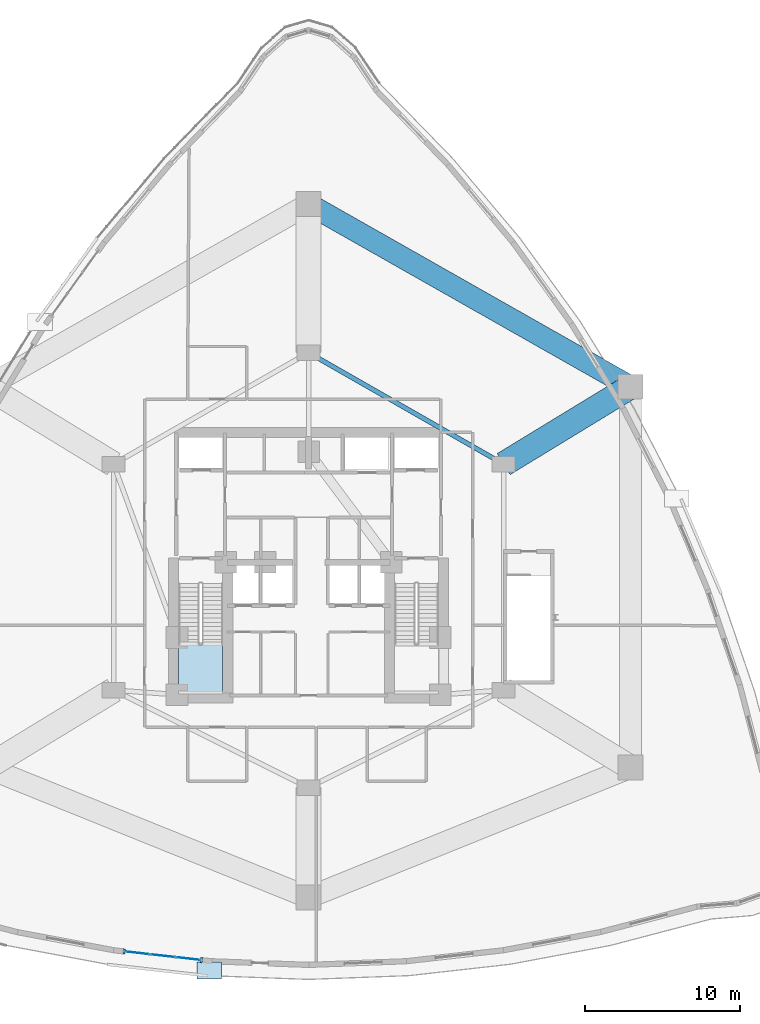
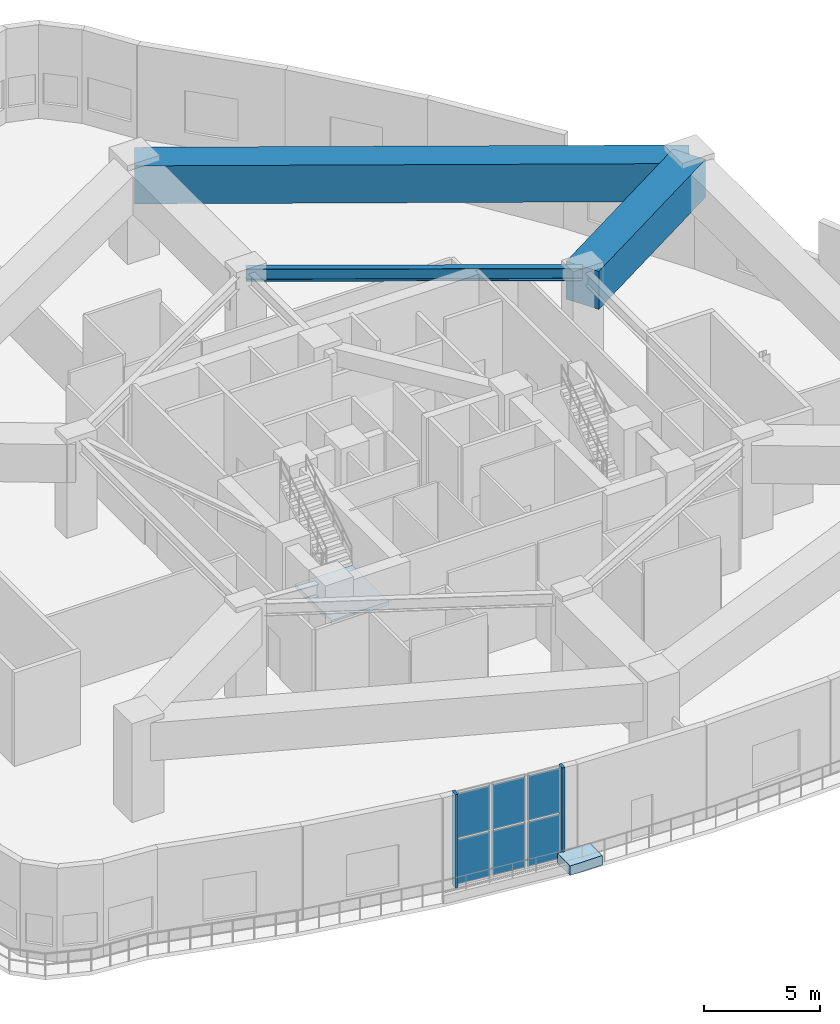
# One storey, part 9 of 19: 8 plates, 3 beams, 2 slabs, 2 elements without a shape of their own.
"""IFC4 building model written with IfcOpenShell, lengths in metres."""

from ifc_helpers import new_model, si_unit, direction, frame, origin, origin_2d, place, context, subcontext, project, spatial, polyline, rectangle, i_section, outline, extrude, material, layer, layer_set, material_profile, profile_set, type_object, element, aggregate, save


model = new_model("IFC4")

# Units and contexts
model_context = context("Model", 3, precision=1e-05, world=origin(), true_north=direction((0.0, 1.0)))
body_context = subcontext(model_context, "Body", "Model", "MODEL_VIEW")
ifc_project = project(units=[si_unit("LENGTHUNIT", "METRE"), si_unit("AREAUNIT", "SQUARE_METRE"), si_unit("VOLUMEUNIT", "CUBIC_METRE"), si_unit("PLANEANGLEUNIT", "RADIAN"), si_unit("MASSUNIT", "GRAM", prefix="KILO")], contexts=[model_context])

# Site, building, storey
site_placement = place(None, origin())
site = spatial("IfcSite", under=ifc_project, at=site_placement, CompositionType="ELEMENT")
building_placement = place(site_placement, origin())
building = spatial("IfcBuilding", under=site, at=building_placement, Name="Miruveldt Soraemaru", CompositionType="ELEMENT")
storey_placement = place(building_placement, frame((0.0, 0.0, 24.0)))
storey = spatial("IfcBuildingStorey", under=building, at=storey_placement, Name="L06", CompositionType="ELEMENT", Elevation=24.0)

# Beams
ifc_material_1 = material(Name="Steel SM355 (355 MPa)", Category="steel")
ifc_material_profile_1 = material_profile(ifc_material_1, i_section(OverallWidth=0.300048828125, OverallDepth=0.64990234375, WebThickness=0.012939453125, FlangeThickness=0.02197265625, FilletRadius=0.02587890625, at=origin_2d()), Name="Steel SM355 (355 MPa)", Category="steel")
ifc_profile_set_1 = profile_set([ifc_material_profile_1], Name="Steel SM355 (355 MPa)")
beam_type_1 = type_object("IfcBeamType", Name="BM-ST-H650", PredefinedType="BEAM", material=ifc_profile_set_1)
beam_1_placement = place(storey_placement, frame((44.0, 57.60009765625, 4.60009765625), z_axis=(0.868239001029, -0.496146185203, 0.0), x_axis=(0.496146185203, 0.868239001029, 0.0)))
element("IfcBeam", 1, at=beam_1_placement, inside=storey, type_object=beam_type_1, Name="L06 Inner Ring Girder 1", PredefinedType="BEAM", context=body_context, shape_type="SweptSolid", body=[
    extrude(i_section(OverallWidth=0.300048828125, OverallDepth=0.64990234375, WebThickness=0.012939453125, FlangeThickness=0.02197265625, FilletRadius=0.02587890625, at=origin_2d()), origin(), (0.0, 0.0, 1.0), 14.51220703125),
])
ifc_material_2 = material(Name="Concrete C70/85 (70 MPa)", Category="concrete")
ifc_material_profile_2 = material_profile(ifc_material_2, rectangle(XDim=1.39990234375, YDim=2.0, at=origin_2d()), Name="Concrete C70/85 (70 MPa)", Category="concrete")
ifc_profile_set_2 = profile_set([ifc_material_profile_2], Name="Concrete C70/85 (70 MPa)")
beam_type_2 = type_object("IfcBeamType", Name="BM-TG-1400x2000", PredefinedType="USERDEFINED", material=ifc_profile_set_2)
beam_2_placement = place(storey_placement, frame((44.0, 67.199951171875, 3.925048828125), z_axis=(0.869782551993, -0.493435215858, 0.0), x_axis=(0.493435215858, 0.869782551993, 0.0)))
element("IfcBeam", 2, at=beam_2_placement, inside=storey, type_object=beam_type_2, Name="L06 Podium Transfer Ring 1", ObjectType="TRANSFER GIRDER", PredefinedType="USERDEFINED", context=body_context, shape_type="SweptSolid", body=[
    extrude(rectangle(XDim=1.39990234375, YDim=2.0, at=origin_2d()), origin(), (0.0, 0.0, 1.0), 23.9140625),
])
ifc_material_profile_3 = material_profile(ifc_material_2, rectangle(XDim=1.60009765625, YDim=2.0, at=origin_2d()), Name="Concrete C70/85 (70 MPa)", Category="concrete")
ifc_profile_set_3 = profile_set([ifc_material_profile_3], Name="Concrete C70/85 (70 MPa)")
beam_type_3 = type_object("IfcBeamType", Name="BM-TG-1600x2000", PredefinedType="USERDEFINED", material=ifc_profile_set_3)
beam_3_placement = place(storey_placement, frame((56.60009765625, 50.39990234375, 3.925048828125), z_axis=(0.853794797843, 0.520609684098, 0.0), x_axis=(-0.520609684098, 0.853794797843, 0.0)))
element("IfcBeam", 3, at=beam_3_placement, inside=storey, type_object=beam_type_3, Name="L06 Continuous Radial Transfer Girder 2", ObjectType="TRANSFER GIRDER", PredefinedType="USERDEFINED", context=body_context, shape_type="SweptSolid", body=[
    extrude(rectangle(XDim=1.60009765625, YDim=2.0, at=origin_2d()), origin(), (0.0, 0.0, 1.0), 9.60400390625),
])

# Curtain wall, plates
ifc_material_3 = material(Name="Anodised aluminium EN AW-6063 T6", Category="aluminium")
ifc_layer_1 = layer(ifc_material_3, 0.219970703125, Name="Anodised aluminium EN AW-6063 T6", Category="aluminium")
ifc_layer_set_1 = layer_set([ifc_layer_1], Name="Anodised aluminium EN AW-6063 T6")
curtain_wall_type = type_object("IfcCurtainWallType", Name="CW-SYS-2", PredefinedType="USERDEFINED", material=ifc_layer_set_1)
curtain_wall_placement = place(storey_placement, origin())
curtain_wall = element("IfcCurtainWall", 4, at=curtain_wall_placement, inside=storey, type_object=curtain_wall_type, Name="L06 Curtain Wall Bay 23", ObjectType="STOREFRONT", PredefinedType="USERDEFINED")
ifc_material_4 = material(Name="Triple low-e insulated glazing", Category="glass")
ifc_layer_2 = layer(ifc_material_4, 0.031982421875, Name="Triple low-e insulated glazing", Category="glass")
ifc_layer_set_2 = layer_set([ifc_layer_2], Name="Triple low-e insulated glazing")
plate_type_1 = type_object("IfcPlateType", Name="CWP-2", PredefinedType="CURTAIN_PANEL", material=ifc_layer_set_2)
plate_1_placement = place(storey_placement, frame((32.93505859375, 18.8173828125, 0.074951171875), z_axis=(0.0, 0.0, 1.0), x_axis=(0.993733916167, -0.111771659465, 0.0)))
plate_1 = element("IfcPlate", 5, at=plate_1_placement, type_object=plate_type_1, Name="CW-2 panel 1.1", PredefinedType="CURTAIN_PANEL", context=body_context, shape_type="SweptSolid", body=[
    extrude(rectangle(XDim=1.560791015625, YDim=0.031982421875, at=origin_2d()), origin(), (0.0, 0.0, 1.0), 2.35009765625),
])
plate_2_placement = place(storey_placement, frame((32.93505859375, 18.8173828125, 2.5), z_axis=(0.0, 0.0, 1.0), x_axis=(0.993733916167, -0.111771659465, 0.0)))
plate_2 = element("IfcPlate", 6, at=plate_2_placement, type_object=plate_type_1, Name="CW-2 panel 1.2", PredefinedType="CURTAIN_PANEL", context=body_context, shape_type="SweptSolid", body=[
    extrude(rectangle(XDim=1.560791015625, YDim=0.031982421875, at=origin_2d()), origin(), (0.0, 0.0, 1.0), 2.35009765625),
])
plate_3_placement = place(storey_placement, frame((34.579345703125, 18.632568359375, 0.074951171875), z_axis=(0.0, 0.0, 1.0), x_axis=(0.993733916167, -0.111771659465, 0.0)))
plate_3 = element("IfcPlate", 7, at=plate_3_placement, type_object=plate_type_1, Name="CW-2 panel 2.1", PredefinedType="CURTAIN_PANEL", context=body_context, shape_type="SweptSolid", body=[
    extrude(rectangle(XDim=1.598388671875, YDim=0.031982421875, at=origin_2d()), origin(), (0.0, 0.0, 1.0), 2.35009765625),
])
plate_4_placement = place(storey_placement, frame((34.579345703125, 18.632568359375, 2.5), z_axis=(0.0, 0.0, 1.0), x_axis=(0.993733916167, -0.111771659465, 0.0)))
plate_4 = element("IfcPlate", 8, at=plate_4_placement, type_object=plate_type_1, Name="CW-2 panel 2.2", PredefinedType="CURTAIN_PANEL", context=body_context, shape_type="SweptSolid", body=[
    extrude(rectangle(XDim=1.598388671875, YDim=0.031982421875, at=origin_2d()), origin(), (0.0, 0.0, 1.0), 2.35009765625),
])
plate_5_placement = place(storey_placement, frame((36.2236328125, 18.447509765625, 0.074951171875), z_axis=(0.0, 0.0, 1.0), x_axis=(0.993733916167, -0.111771659465, 0.0)))
plate_5 = element("IfcPlate", 9, at=plate_5_placement, type_object=plate_type_1, Name="CW-2 panel 3.1", PredefinedType="CURTAIN_PANEL", context=body_context, shape_type="SweptSolid", body=[
    extrude(rectangle(XDim=1.560791015625, YDim=0.031982421875, at=origin_2d()), origin(), (0.0, 0.0, 1.0), 2.35009765625),
])
plate_6_placement = place(storey_placement, frame((36.2236328125, 18.447509765625, 2.5), z_axis=(0.0, 0.0, 1.0), x_axis=(0.993733916167, -0.111771659465, 0.0)))
plate_6 = element("IfcPlate", 10, at=plate_6_placement, type_object=plate_type_1, Name="CW-2 panel 3.2", PredefinedType="CURTAIN_PANEL", context=body_context, shape_type="SweptSolid", body=[
    extrude(rectangle(XDim=1.560791015625, YDim=0.031982421875, at=origin_2d()), origin(), (0.0, 0.0, 1.0), 2.35009765625),
])
aggregate(curtain_wall, [plate_1, plate_2, plate_3, plate_4, plate_5, plate_6])

# Plates
ifc_layer_3 = layer(ifc_material_3, 0.030029296875, Name="Anodised aluminium EN AW-6063 T6", Category="aluminium")
ifc_layer_set_3 = layer_set([ifc_layer_3], Name="Anodised aluminium EN AW-6063 T6")
plate_type_2 = type_object("IfcPlateType", Name="PLT-JAMB-30", PredefinedType="SHEET", material=ifc_layer_set_3)
for number, where, z_axis, x_axis, name in (
    (11, (32.085205078125, 18.9130859375, 0.0), (0.0, 0.0, 1.0), (0.993732851123, -0.1117811281, 0.0), "L06 Curtain Wall Jamb Closure Trim 23JL"),
    (12, (37.07373046875, 18.35205078125, 0.0), (0.0, 0.0, 1.0), (0.993732851123, -0.1117811281, 0.0), "L06 Curtain Wall Jamb Closure Trim 23JR"),
):
    element("IfcPlate", number, at=place(storey_placement, frame(where, z_axis=z_axis, x_axis=x_axis)), inside=storey, type_object=plate_type_2, Name=name, PredefinedType="SHEET", context=body_context, shape_type="SweptSolid", body=[
        extrude(rectangle(XDim=0.139892578125, YDim=0.340087890625, at=origin_2d()), origin(), (0.0, 0.0, 1.0), 4.925048828125),
    ])

# Stair, slab
ifc_material_5 = material(Name="Concrete C40/50 (40 MPa)", Category="concrete")
stair_type = type_object("IfcStairType", Name="STAIR-DL-520", PredefinedType="HALF_TURN_STAIR", material=ifc_material_5)
stair_placement = place(storey_placement, origin())
stair = element("IfcStair", 13, at=stair_placement, inside=storey, type_object=stair_type, Name="L06 Protected Exit Stair ST-1", PredefinedType="HALF_TURN_STAIR")
ifc_layer_4 = layer(ifc_material_5, 0.199951171875, Name="Concrete C40/50 (40 MPa)", Category="concrete")
ifc_layer_set_4 = layer_set([ifc_layer_4], Name="Concrete C40/50 (40 MPa)")
slab_type_1 = type_object("IfcSlabType", Name="SLAB-LAND-200", PredefinedType="LANDING", material=ifc_layer_set_4)
slab_1_placement = place(storey_placement, frame((0.0, 0.0, 2.39990234375)))
slab_1 = element("IfcSlab", 14, at=slab_1_placement, type_object=slab_type_1, Name="ST-1 landing 1", PredefinedType="LANDING", context=body_context, shape_type="SweptSolid", body=[
    extrude(outline(polyline([(35.60009765625, 38.798095703125), (35.60009765625, 35.64990234375), (38.449951171875, 35.64990234375), (38.449951171875, 38.798095703125), (35.60009765625, 38.798095703125)])), origin(), (0.0, 0.0, 1.0), 0.2001953125),
])
aggregate(stair, [slab_1])

# Slab
ifc_material_6 = material(Name="Precast concrete C45/55 (45 MPa)", Category="concrete")
ifc_layer_5 = layer(ifc_material_6, 0.179931640625, Name="Precast concrete C45/55 (45 MPa)", Category="concrete")
ifc_layer_set_5 = layer_set([ifc_layer_5], Name="Precast concrete C45/55 (45 MPa)")
slab_type_2 = type_object("IfcSlabType", Name="SLAB-PLTR-180", PredefinedType="USERDEFINED", material=ifc_layer_set_5)
slab_2_placement = place(storey_placement, origin())
element("IfcSlab", 15, at=slab_2_placement, inside=storey, type_object=slab_type_2, Name="L06 Terrace Planter Bed PLANTER 2", ObjectType="PLANTER", PredefinedType="USERDEFINED", context=body_context, shape_type="SweptSolid", body=[
    extrude(outline(polyline([(36.77392578125, 17.115966796875), (38.3740234375, 17.115966796875), (38.3740234375, 18.216064453125), (36.77392578125, 18.216064453125), (36.77392578125, 17.115966796875)])), origin(), (0.0, 0.0, 1.0), 0.5),
])

save(model, "model.ifc")
